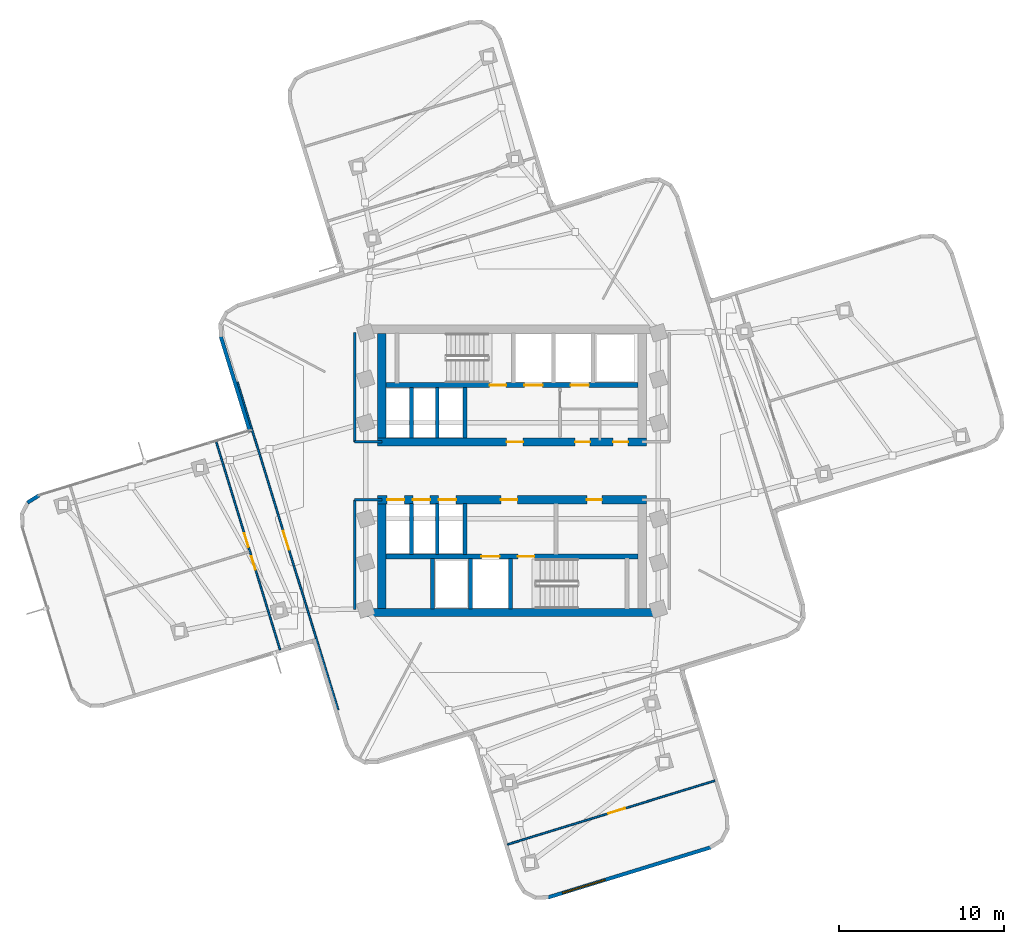
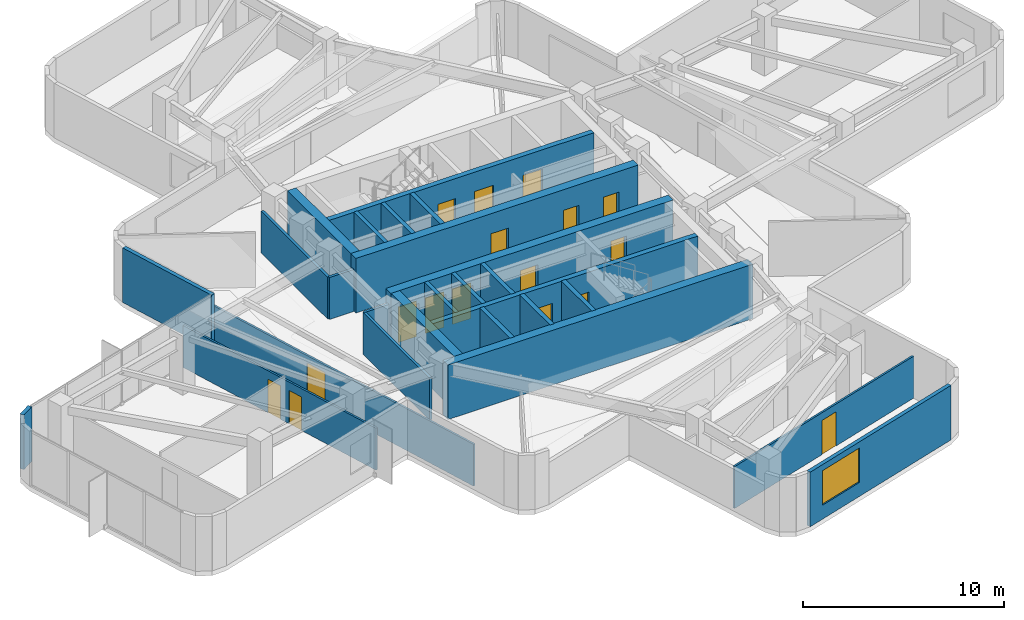
# One storey, part 6 of 10: 26 walls, 17 doors, 1 window, 18 openings.
"""IFC4 building model written with IfcOpenShell, lengths in metres."""

import ifcopenshell
import ifcopenshell.guid

model = None  # the IFC model being written
_history = None  # IfcOwnerHistory: only IFC2X3 demands one
_inside = {}  # id of a spatial element -> (the spatial element, [elements in it])
_under = {}  # id of a project, library or spatial element -> (it, [spatial elements below it])
_declared = {}  # id of a project -> (the project, [libraries it declares])
_typed = {}  # id of a type object -> (the type object, [elements of that type])
_made_of = {}  # id of a material, layer set ... -> (it, [elements and type objects made of it])


def new_model(schema):
    """Start an empty IFC model of exactly this schema.

    Asked for "IFC4X3", IfcOpenShell would pick the latest addendum, in which some entities
    have other attributes; the version numbers below select the first issue.
    IFC2X3 requires an IfcOwnerHistory on every rooted entity: one is made here for all.
    """
    global model, _history
    if schema == "IFC4X3":
        model = ifcopenshell.file(schema_version=(4, 3, 0, 0))
    else:
        model = ifcopenshell.file(schema=schema)
    _inside.clear()
    _under.clear()
    _declared.clear()
    _typed.clear()
    _made_of.clear()
    _history = None
    if model.schema == "IFC2X3":
        org = make("IfcOrganization", Name="unknown")
        user = make(
            "IfcPersonAndOrganization",
            ThePerson=make("IfcPerson", FamilyName="unknown"),
            TheOrganization=org,
        )
        app = make(
            "IfcApplication",
            ApplicationDeveloper=org,
            Version="unknown",
            ApplicationFullName="unknown",
            ApplicationIdentifier="unknown",
        )
        _history = make(
            "IfcOwnerHistory",
            OwningUser=user,
            OwningApplication=app,
            ChangeAction="ADDED",
            CreationDate=0,
        )
    return model


def make(cls, **values):
    """One entity of the class cls with the attributes given. An attribute that is None is left unset."""
    return model.create_entity(
        cls, **{name: value for name, value in values.items() if value is not None}
    )


def rooted(cls, **values):
    """An entity with a GlobalId (a new one), such as an element, a storey or a relation."""
    return make(cls, GlobalId=ifcopenshell.guid.new(), OwnerHistory=_history, **values)


def si_unit(unit_type, name, prefix=None):
    """IfcSIUnit, for example si_unit("LENGTHUNIT", "METRE", prefix="MILLI")."""
    return make("IfcSIUnit", UnitType=unit_type, Prefix=prefix, Name=name)


def assignment(units):
    """IfcUnitAssignment: the units of a project."""
    return None if units is None else make("IfcUnitAssignment", Units=units)


def point(xyz):
    """IfcCartesianPoint."""
    return None if xyz is None else make("IfcCartesianPoint", Coordinates=xyz)


def direction(xyz):
    """IfcDirection."""
    return None if xyz is None else make("IfcDirection", DirectionRatios=xyz)


def frame(location, z_axis=None, x_axis=None):
    """IfcAxis2Placement3D, a coordinate frame: its origin and axes. An axis left out is left unset."""
    return make(
        "IfcAxis2Placement3D",
        Location=point(location),
        Axis=direction(z_axis),
        RefDirection=direction(x_axis),
    )


def frame_2d(location, x_axis=None):
    """IfcAxis2Placement2D, a coordinate frame in the plane: its origin and x axis."""
    return make(
        "IfcAxis2Placement2D", Location=point(location), RefDirection=direction(x_axis)
    )


def origin():
    """The frame at (0, 0, 0) with its axes left unset."""
    return frame((0.0, 0.0, 0.0))


def place(relative_to, where):
    """IfcLocalPlacement: puts the frame where relative to a parent placement (None: the world)."""
    return make(
        "IfcLocalPlacement", PlacementRelTo=relative_to, RelativePlacement=where
    )


def context(
    kind, dimensions, precision=None, world=None, true_north=None, identifier=None
):
    """IfcGeometricRepresentationContext, for example the 3D "Model" context."""
    return make(
        "IfcGeometricRepresentationContext",
        ContextIdentifier=identifier,
        ContextType=kind,
        CoordinateSpaceDimension=dimensions,
        Precision=precision,
        WorldCoordinateSystem=world,
        TrueNorth=true_north,
    )


def subcontext(parent, identifier, kind, view, scale=None):
    """IfcGeometricRepresentationSubContext, for example "Body" below "Model"."""
    return make(
        "IfcGeometricRepresentationSubContext",
        ContextIdentifier=identifier,
        ContextType=kind,
        ParentContext=parent,
        TargetScale=scale,
        TargetView=view,
    )


def project(units=None, contexts=None):
    """IfcProject with its units and contexts."""
    return rooted(
        "IfcProject",
        Name="project",
        RepresentationContexts=contexts,
        UnitsInContext=assignment(units),
    )


def spatial(cls, under=None, at=None, **own):
    """A site, building, storey or space (cls), placed at a placement, below another one or the project."""
    s = rooted(cls, ObjectPlacement=at, **own)
    if under is not None:
        _under.setdefault(under.id(), (under, []))[1].append(s)
    return s


def profile(cls, at=None, kind="AREA", **sizes):
    """A parametric profile (cls). Its sizes go by their IFC names, for example OverallWidth=200.0."""
    return make(cls, ProfileType=kind, Position=at, **sizes)


def rectangle(**sizes):
    """IfcRectangleProfileDef."""
    return profile("IfcRectangleProfileDef", **sizes)


def extrude(swept, where, along, depth):
    """IfcExtrudedAreaSolid: the profile swept, set in the frame where, extruded along a direction by depth."""
    return make(
        "IfcExtrudedAreaSolid",
        SweptArea=swept,
        Position=where,
        ExtrudedDirection=direction(along),
        Depth=depth,
    )


def shape(context_of_items, identifier, shape_type, items):
    """IfcShapeRepresentation: the items that make up one representation, for example the "Body"."""
    return make(
        "IfcShapeRepresentation",
        ContextOfItems=context_of_items,
        RepresentationIdentifier=identifier,
        RepresentationType=shape_type,
        Items=items,
    )


def material(Name=None, Category=None):
    """IfcMaterial."""
    return make("IfcMaterial", Name=Name, Category=Category)


def layer(
    of_material, thickness, ventilated=None, Name=None, Category=None, Priority=None
):
    """IfcMaterialLayer: one layer of a wall or slab, of a material (None: an air gap)."""
    return make(
        "IfcMaterialLayer",
        Material=of_material,
        LayerThickness=thickness,
        IsVentilated=ventilated,
        Name=Name,
        Category=Category,
        Priority=Priority,
    )


def layer_set(layers, Name=None):
    """IfcMaterialLayerSet."""
    return make("IfcMaterialLayerSet", MaterialLayers=layers, LayerSetName=Name)


def made_of(thing, what):
    """Note that an element or type object is made of a material, layer set ...; save() writes the relation."""
    if what is not None:
        _made_of.setdefault(what.id(), (what, []))[1].append(thing)
    return thing


def type_object(cls, material=None, **own):
    """A type object (cls), such as IfcWallType, which elements share."""
    return made_of(rooted(cls, **own), material)


def element(
    cls,
    number,
    at=None,
    inside=None,
    cuts=None,
    type_object=None,
    material=None,
    context=None,
    identifier="Body",
    shape_type=None,
    held_by="IfcProductDefinitionShape",
    body=None,
    shapes=None,
    **own,
):
    """One element of the class cls, such as IfcWall. Its Tag is "e" and its number.

    at: its placement. inside: the storey or other place that contains it. cuts: it is an
    opening in that element (IfcRelVoidsElement). A single representation is given by context,
    identifier, shape_type and body (its items); several are given by shapes. held_by: the class
    of the entity that holds the representations. save() writes the other relations.
    """
    e = rooted(cls, Tag="e%d" % number, ObjectPlacement=at, **own)
    if body is not None:
        shapes = [shape(context, identifier, shape_type, body)]
    if shapes is not None:
        e.Representation = make(held_by, Representations=shapes)
    if inside is not None:
        _inside.setdefault(inside.id(), (inside, []))[1].append(e)
    if cuts is not None:
        rooted(
            "IfcRelVoidsElement", RelatingBuildingElement=cuts, RelatedOpeningElement=e
        )
    if type_object is not None:
        _typed.setdefault(type_object.id(), (type_object, []))[1].append(e)
    return made_of(e, material)


def fill(opening, filler):
    """IfcRelFillsElement: the door or window that sits in an opening."""
    return rooted(
        "IfcRelFillsElement",
        RelatingOpeningElement=opening,
        RelatedBuildingElement=filler,
    )


def aggregate(whole, parts):
    """IfcRelAggregates: a whole, such as a stair, and the parts it consists of."""
    return rooted("IfcRelAggregates", RelatingObject=whole, RelatedObjects=parts)


def save(model, path):
    """Write the relations noted so far, then the file.

    IfcRelAggregates (storeys below a building ...), IfcRelContainedInSpatialStructure (elements
    in a storey), IfcRelDefinesByType, IfcRelAssociatesMaterial and IfcRelDeclares: one each for
    every whole, place, type object, material and project.
    """
    for whole, parts in _under.values():
        aggregate(whole, parts)
    for where, things in _inside.values():
        rooted(
            "IfcRelContainedInSpatialStructure",
            RelatedElements=things,
            RelatingStructure=where,
        )
    for kind, things in _typed.values():
        rooted("IfcRelDefinesByType", RelatedObjects=things, RelatingType=kind)
    for what, things in _made_of.values():
        rooted("IfcRelAssociatesMaterial", RelatedObjects=things, RelatingMaterial=what)
    for by, libraries in _declared.values():
        rooted("IfcRelDeclares", RelatingContext=by, RelatedDefinitions=libraries)
    model.write(path)


model = new_model("IFC4")

# Units and contexts
model_context = context("Model", 3, precision=1e-05, world=origin(), true_north=direction((0.0, 1.0)))
body_context = subcontext(model_context, "Body", "Model", "MODEL_VIEW")
ifc_project = project(units=[si_unit("LENGTHUNIT", "METRE"), si_unit("AREAUNIT", "SQUARE_METRE"), si_unit("VOLUMEUNIT", "CUBIC_METRE"), si_unit("PLANEANGLEUNIT", "RADIAN"), si_unit("MASSUNIT", "GRAM", prefix="KILO")], contexts=[model_context])

# Site, building, storey
site_placement = place(None, origin())
site = spatial("IfcSite", under=ifc_project, at=site_placement, CompositionType="ELEMENT")
building_placement = place(site_placement, origin())
building = spatial("IfcBuilding", under=site, at=building_placement, Name="Solmarez Civic Tower", CompositionType="ELEMENT")
storey_placement = place(building_placement, frame((0.0, 0.0, 148.679931640625)))
storey = spatial("IfcBuildingStorey", under=building, at=storey_placement, Name="L39", CompositionType="ELEMENT", Elevation=148.679931640625)

# Wall, openings, doors
ifc_material_1 = material(Name="Concrete C60/75", Category="concrete")
ifc_layer_1 = layer(ifc_material_1, 0.5)
ifc_layer_set_1 = layer_set([ifc_layer_1], Name="Concrete C60/75")
wall_type_1 = type_object("IfcWallType", Name="WALL-CORE-500", PredefinedType="SHEAR", material=ifc_layer_set_1)
wall_1_placement = place(storey_placement, frame((8.1201171875, 1.75, 0.0), z_axis=(0.0, 0.0, 1.0), x_axis=(-1.0, 0.0, 0.0)))
wall_1 = element("IfcWall", 1, at=wall_1_placement, inside=storey, type_object=wall_type_1, Name="L39 Split-Core Structural Wall NCW-S-L39", PredefinedType="SHEAR", context=body_context, shape_type="SweptSolid", body=[
    extrude(rectangle(XDim=16.240234375, YDim=0.5, at=frame_2d((8.1201171875, 0.0))), origin(), (0.0, 0.0, 1.0), 3.320068359375),
])
opening_1_placement = place(wall_1_placement, frame((7.449951171875, 0.0, 0.0)))
opening_1 = element("IfcOpeningElement", 2, at=opening_1_placement, cuts=wall_1, Name="Opening D-04", PredefinedType="OPENING", context=body_context, shape_type="SweptSolid", body=[
    extrude(rectangle(XDim=1.0, YDim=2.10009765625, at=frame_2d((0.5, 1.050048828125))), frame((0.0, 0.260009765625, 0.0), z_axis=(0.0, -1.0, 0.0), x_axis=(1.0, 0.0, 0.0)), (0.0, 0.0, 1.0), 0.52001953125),
])
opening_2_placement = place(wall_1_placement, frame((3.39990234375, 0.0, 0.0)))
opening_2 = element("IfcOpeningElement", 3, at=opening_2_placement, cuts=wall_1, Name="Opening D-09", PredefinedType="OPENING", context=body_context, shape_type="SweptSolid", body=[
    extrude(rectangle(XDim=0.89990234375, YDim=2.06005859375, at=frame_2d((0.449951171875, 1.030029296875))), frame((0.0, 0.260009765625, 0.0), z_axis=(0.0, -1.0, 0.0), x_axis=(1.0, 0.0, 0.0)), (0.0, 0.0, 1.0), 0.52001953125),
])
opening_3_placement = place(wall_1_placement, frame((1.10009765625, 0.0, 0.0)))
opening_3 = element("IfcOpeningElement", 4, at=opening_3_placement, cuts=wall_1, Name="Opening D-09", PredefinedType="OPENING", context=body_context, shape_type="SweptSolid", body=[
    extrude(rectangle(XDim=0.89990234375, YDim=2.06005859375, at=frame_2d((0.449951171875, 1.030029296875))), frame((0.0, 0.260009765625, 0.0), z_axis=(0.0, -1.0, 0.0), x_axis=(1.0, 0.0, 0.0)), (0.0, 0.0, 1.0), 0.52001953125),
])
ifc_material_2 = material(Name="Steel-Faced Acoustic Fire Door", Category="steel")
door_type_1 = type_object("IfcDoorType", Name="DOOR-FD60-1000", OperationType="NOTDEFINED", PredefinedType="DOOR", material=ifc_material_2)
door_1_placement = place(opening_1_placement, origin())
door_1 = element("IfcDoor", 5, at=door_1_placement, inside=storey, type_object=door_type_1, Name="L39 North Firefighting Lobby Door", OperationType="SINGLE_SWING_RIGHT", OverallHeight=2.10009765625, OverallWidth=1.0, PredefinedType="DOOR", context=body_context, shape_type="SweptSolid", body=[
    extrude(rectangle(XDim=1.0, YDim=2.10009765625, at=frame_2d((0.5, 1.050048828125))), frame((0.0, 0.02490234375, 0.0), z_axis=(0.0, -1.0, 0.0), x_axis=(1.0, 0.0, 0.0)), (0.0, 0.0, 1.0), 0.050048828125),
])
fill(opening_1, door_1)
ifc_material_3 = material(Name="Fire-Rated Service Core Door", Category="wood")
door_type_2 = type_object("IfcDoorType", Name="DOOR-FD60-900", OperationType="NOTDEFINED", PredefinedType="DOOR", material=ifc_material_3)
door_2_placement = place(opening_2_placement, origin())
door_2 = element("IfcDoor", 6, at=door_2_placement, inside=storey, type_object=door_type_2, Name="L39 Core WC Door", OperationType="SINGLE_SWING_LEFT", OverallHeight=2.06005859375, OverallWidth=0.89990234375, PredefinedType="DOOR", context=body_context, shape_type="SweptSolid", body=[
    extrude(rectangle(XDim=0.89990234375, YDim=2.06005859375, at=frame_2d((0.449951171875, 1.030029296875))), frame((0.0, 0.02490234375, 0.0), z_axis=(0.0, -1.0, 0.0), x_axis=(1.0, 0.0, 0.0)), (0.0, 0.0, 1.0), 0.050048828125),
])
fill(opening_2, door_2)
door_3_placement = place(opening_3_placement, origin())
door_3 = element("IfcDoor", 7, at=door_3_placement, inside=storey, type_object=door_type_2, Name="L39 Core CL Door", OperationType="SINGLE_SWING_RIGHT", OverallHeight=2.06005859375, OverallWidth=0.89990234375, PredefinedType="DOOR", context=body_context, shape_type="SweptSolid", body=[
    extrude(rectangle(XDim=0.89990234375, YDim=2.06005859375, at=frame_2d((0.449951171875, 1.030029296875))), frame((0.0, 0.02490234375, 0.0), z_axis=(0.0, -1.0, 0.0), x_axis=(1.0, 0.0, 0.0)), (0.0, 0.0, 1.0), 0.050048828125),
])
fill(opening_3, door_3)

# Walls
wall_2_placement = place(storey_placement, frame((-7.8701171875, 2.0, 0.0), z_axis=(0.0, 0.0, 1.0), x_axis=(0.0, 1.0, 0.0)))
element("IfcWall", 8, at=wall_2_placement, inside=storey, type_object=wall_type_1, Name="L39 Split-Core Structural Wall NCW-W-L39", PredefinedType="SHEAR", context=body_context, shape_type="SweptSolid", body=[
    extrude(rectangle(XDim=6.31005859375, YDim=0.5, at=frame_2d((3.155029296875, 0.0))), origin(), (0.0, 0.0, 1.0), 3.320068359375),
])
wall_3_placement = place(storey_placement, frame((8.780029296875, -8.56005859375, 0.0), z_axis=(0.0, 0.0, 1.0), x_axis=(-1.0, 0.0, 0.0)))
element("IfcWall", 9, at=wall_3_placement, inside=storey, type_object=wall_type_1, Name="L39 Split-Core Structural Wall SCW-S-L39", PredefinedType="SHEAR", context=body_context, shape_type="SweptSolid", body=[
    extrude(rectangle(XDim=17.56005859375, YDim=0.5, at=frame_2d((8.780029296875, 0.0))), origin(), (0.0, 0.0, 1.0), 3.320068359375),
])

# Wall, openings, doors
wall_4_placement = place(storey_placement, frame((-8.1201171875, -1.75, 0.0), z_axis=(0.0, 0.0, 1.0), x_axis=(1.0, 0.0, 0.0)))
wall_4 = element("IfcWall", 10, at=wall_4_placement, inside=storey, type_object=wall_type_1, Name="L39 Split-Core Structural Wall SCW-N-L39", PredefinedType="SHEAR", context=body_context, shape_type="SweptSolid", body=[
    extrude(rectangle(XDim=16.240234375, YDim=0.5, at=frame_2d((8.1201171875, 0.0))), origin(), (0.0, 0.0, 1.0), 3.320068359375),
])
opening_4_placement = place(wall_4_placement, frame((7.449951171875, 0.0, 0.0)))
opening_4 = element("IfcOpeningElement", 11, at=opening_4_placement, cuts=wall_4, Name="Opening D-04", PredefinedType="OPENING", context=body_context, shape_type="SweptSolid", body=[
    extrude(rectangle(XDim=1.0, YDim=2.10009765625, at=frame_2d((0.5, 1.050048828125))), frame((0.0, 0.260009765625, 0.0), z_axis=(0.0, -1.0, 0.0), x_axis=(1.0, 0.0, 0.0)), (0.0, 0.0, 1.0), 0.52001953125),
])
opening_5_placement = place(wall_4_placement, frame((12.64990234375, 0.0, 0.0)))
opening_5 = element("IfcOpeningElement", 12, at=opening_5_placement, cuts=wall_4, Name="Opening D-09", PredefinedType="OPENING", context=body_context, shape_type="SweptSolid", body=[
    extrude(rectangle(XDim=0.89990234375, YDim=2.06005859375, at=frame_2d((0.449951171875, 1.030029296875))), frame((0.0, 0.260009765625, 0.0), z_axis=(0.0, -1.0, 0.0), x_axis=(1.0, 0.0, 0.0)), (0.0, 0.0, 1.0), 0.52001953125),
])
opening_6_placement = place(wall_4_placement, frame((0.56494140625, 0.0, 0.0)))
opening_6 = element("IfcOpeningElement", 13, at=opening_6_placement, cuts=wall_4, Name="Opening LD-01", PredefinedType="OPENING", context=body_context, shape_type="SweptSolid", body=[
    extrude(rectangle(XDim=1.050048828125, YDim=2.14990234375, at=frame_2d((0.52490234375, 1.074951171875))), frame((0.0, 0.260009765625, 0.0), z_axis=(0.0, -1.0, 0.0), x_axis=(1.0, 0.0, 0.0)), (0.0, 0.0, 1.0), 0.52001953125),
])
opening_7_placement = place(wall_4_placement, frame((2.125, 0.0, 0.0)))
opening_7 = element("IfcOpeningElement", 14, at=opening_7_placement, cuts=wall_4, Name="Opening LD-01", PredefinedType="OPENING", context=body_context, shape_type="SweptSolid", body=[
    extrude(rectangle(XDim=1.050048828125, YDim=2.14990234375, at=frame_2d((0.52490234375, 1.074951171875))), frame((0.0, 0.260009765625, 0.0), z_axis=(0.0, -1.0, 0.0), x_axis=(1.0, 0.0, 0.0)), (0.0, 0.0, 1.0), 0.52001953125),
])
opening_8_placement = place(wall_4_placement, frame((3.68505859375, 0.0, 0.0)))
opening_8 = element("IfcOpeningElement", 15, at=opening_8_placement, cuts=wall_4, Name="Opening LD-01", PredefinedType="OPENING", context=body_context, shape_type="SweptSolid", body=[
    extrude(rectangle(XDim=1.050048828125, YDim=2.14990234375, at=frame_2d((0.52490234375, 1.074951171875))), frame((0.0, 0.260009765625, 0.0), z_axis=(0.0, -1.0, 0.0), x_axis=(1.0, 0.0, 0.0)), (0.0, 0.0, 1.0), 0.52001953125),
])
door_4_placement = place(opening_4_placement, origin())
door_4 = element("IfcDoor", 16, at=door_4_placement, inside=storey, type_object=door_type_1, Name="L39 South Firefighting Lobby Door", OperationType="SINGLE_SWING_LEFT", OverallHeight=2.10009765625, OverallWidth=1.0, PredefinedType="DOOR", context=body_context, shape_type="SweptSolid", body=[
    extrude(rectangle(XDim=1.0, YDim=2.10009765625, at=frame_2d((0.5, 1.050048828125))), frame((0.0, 0.02490234375, 0.0), z_axis=(0.0, -1.0, 0.0), x_axis=(1.0, 0.0, 0.0)), (0.0, 0.0, 1.0), 0.050048828125),
])
fill(opening_4, door_4)
door_5_placement = place(opening_5_placement, origin())
door_5 = element("IfcDoor", 17, at=door_5_placement, inside=storey, type_object=door_type_2, Name="L39 Freed Hoistway Mailroom Door", OperationType="SINGLE_SWING_LEFT", OverallHeight=2.06005859375, OverallWidth=0.89990234375, PredefinedType="DOOR", context=body_context, shape_type="SweptSolid", body=[
    extrude(rectangle(XDim=0.89990234375, YDim=2.06005859375, at=frame_2d((0.449951171875, 1.030029296875))), frame((0.0, 0.02490234375, 0.0), z_axis=(0.0, -1.0, 0.0), x_axis=(1.0, 0.0, 0.0)), (0.0, 0.0, 1.0), 0.050048828125),
])
fill(opening_5, door_5)
ifc_material_4 = material(Name="Bronze Passenger Lift Landing Sliding Door", Category="aluminium")
door_type_3 = type_object("IfcDoorType", Name="DOOR-LD-PAX-1050", OperationType="DOUBLE_DOOR_SLIDING", PredefinedType="DOOR", material=ifc_material_4)
door_6_placement = place(opening_6_placement, origin())
door_6 = element("IfcDoor", 18, at=door_6_placement, inside=storey, type_object=door_type_3, Name="L39 Mid-Rise Lift Landing Door PL-M1", OperationType="DOUBLE_DOOR_SLIDING", OverallHeight=2.14990234375, OverallWidth=1.050048828125, PredefinedType="DOOR", context=body_context, shape_type="SweptSolid", body=[
    extrude(rectangle(XDim=1.050048828125, YDim=2.14990234375, at=frame_2d((0.52490234375, 1.074951171875))), frame((0.0, 0.02490234375, 0.0), z_axis=(0.0, -1.0, 0.0), x_axis=(1.0, 0.0, 0.0)), (0.0, 0.0, 1.0), 0.050048828125),
])
fill(opening_6, door_6)
door_7_placement = place(opening_7_placement, origin())
door_7 = element("IfcDoor", 19, at=door_7_placement, inside=storey, type_object=door_type_3, Name="L39 Mid-Rise Lift Landing Door PL-M2", OperationType="DOUBLE_DOOR_SLIDING", OverallHeight=2.14990234375, OverallWidth=1.050048828125, PredefinedType="DOOR", context=body_context, shape_type="SweptSolid", body=[
    extrude(rectangle(XDim=1.050048828125, YDim=2.14990234375, at=frame_2d((0.52490234375, 1.074951171875))), frame((0.0, 0.02490234375, 0.0), z_axis=(0.0, -1.0, 0.0), x_axis=(1.0, 0.0, 0.0)), (0.0, 0.0, 1.0), 0.050048828125),
])
fill(opening_7, door_7)
door_8_placement = place(opening_8_placement, origin())
door_8 = element("IfcDoor", 20, at=door_8_placement, inside=storey, type_object=door_type_3, Name="L39 Mid-Rise Lift Landing Door PL-M3", OperationType="DOUBLE_DOOR_SLIDING", OverallHeight=2.14990234375, OverallWidth=1.050048828125, PredefinedType="DOOR", context=body_context, shape_type="SweptSolid", body=[
    extrude(rectangle(XDim=1.050048828125, YDim=2.14990234375, at=frame_2d((0.52490234375, 1.074951171875))), frame((0.0, 0.02490234375, 0.0), z_axis=(0.0, -1.0, 0.0), x_axis=(1.0, 0.0, 0.0)), (0.0, 0.0, 1.0), 0.050048828125),
])
fill(opening_8, door_8)

# Walls
wall_5_placement = place(storey_placement, frame((-7.8701171875, -8.31005859375, 0.0), z_axis=(0.0, 0.0, 1.0), x_axis=(0.0, 1.0, 0.0)))
element("IfcWall", 21, at=wall_5_placement, inside=storey, type_object=wall_type_1, Name="L39 Split-Core Structural Wall SCW-W-L39", PredefinedType="SHEAR", context=body_context, shape_type="SweptSolid", body=[
    extrude(rectangle(XDim=6.31005859375, YDim=0.5, at=frame_2d((3.155029296875, 0.0))), origin(), (0.0, 0.0, 1.0), 3.320068359375),
])
ifc_material_5 = material(Name="Precast concrete C40/50", Category="concrete")
ifc_layer_2 = layer(ifc_material_5, 0.219970703125)
ifc_layer_set_2 = layer_set([ifc_layer_2], Name="Precast concrete C40/50")
wall_type_2 = type_object("IfcWallType", Name="WALL-EXT-220", PredefinedType="SOLIDWALL", material=ifc_layer_set_2)
wall_6_placement = place(storey_placement, frame((-29.298095703125, -1.9189453125, 0.0), z_axis=(0.0, 0.0, 1.0), x_axis=(0.847141460322, 0.531367430506, 0.0)))
element("IfcWall", 22, at=wall_6_placement, inside=storey, type_object=wall_type_2, Name="L39 Exterior Precast Wall 9", PredefinedType="SOLIDWALL", context=body_context, shape_type="SweptSolid", body=[
    extrude(rectangle(XDim=0.83349609375, YDim=0.219970703125, at=frame_2d((0.416748046875, 0.0))), origin(), (0.0, 0.0, 1.0), 3.320068359375),
])
wall_7_placement = place(storey_placement, frame((-15.8310546875, 2.35107421875, 0.0), z_axis=(0.0, 0.0, 1.0), x_axis=(-0.293958424126, 0.955818207028, 0.0)))
element("IfcWall", 23, at=wall_7_placement, inside=storey, type_object=wall_type_2, Name="L39 Exterior Precast Wall 13", PredefinedType="SOLIDWALL", context=body_context, shape_type="SweptSolid", body=[
    extrude(rectangle(XDim=6.05859375, YDim=0.219970703125, at=frame_2d((3.029296875, 0.0))), origin(), (0.0, 0.0, 1.0), 3.320068359375),
])

# Wall, opening, window
wall_8_placement = place(storey_placement, frame((12.033935546875, -22.758056640625, 0.0), z_axis=(0.0, 0.0, 1.0), x_axis=(-0.955818382151, -0.293957854703, 0.0)))
wall_8 = element("IfcWall", 24, at=wall_8_placement, inside=storey, type_object=wall_type_2, Name="L39 Exterior Precast Wall 60", PredefinedType="SOLIDWALL", context=body_context, shape_type="SweptSolid", body=[
    extrude(rectangle(XDim=10.321044921875, YDim=0.219970703125, at=frame_2d((5.16064453125, 0.0))), origin(), (0.0, 0.0, 1.0), 3.320068359375),
])
opening_9_placement = place(wall_8_placement, frame((6.699951171875, 0.0, 0.85009765625)))
opening_9 = element("IfcOpeningElement", 25, at=opening_9_placement, cuts=wall_8, Name="Opening W-01", PredefinedType="OPENING", context=body_context, shape_type="SweptSolid", body=[
    extrude(rectangle(XDim=2.699951171875, YDim=2.10009765625, at=frame_2d((1.35009765625, 1.050048828125))), frame((0.0, 0.119873046875, 0.0), z_axis=(0.0, -1.0, 0.0), x_axis=(1.0, 0.0, 0.0)), (0.0, 0.0, 1.0), 0.239990234375),
])
ifc_material_6 = material(Name="Solar Control Bronze-Tinted Insulating Glass", Category="glass")
window_type = type_object("IfcWindowType", Name="WIN-2700X2100", PartitioningType="SINGLE_PANEL", PredefinedType="WINDOW", material=ifc_material_6)
window_placement = place(opening_9_placement, origin())
window = element("IfcWindow", 26, at=window_placement, inside=storey, type_object=window_type, Name="L39 Exterior Facade Window 60", OverallHeight=2.10009765625, OverallWidth=2.699951171875, PartitioningType="SINGLE_PANEL", PredefinedType="WINDOW", context=body_context, shape_type="SweptSolid", body=[
    extrude(rectangle(XDim=2.699951171875, YDim=2.10009765625, at=frame_2d((1.35009765625, 1.050048828125))), frame((0.0, 0.030029296875, 0.0), z_axis=(0.0, -1.0, 0.0), x_axis=(1.0, 0.0, 0.0)), (0.0, 0.0, 1.0), 0.06005859375),
])
fill(opening_9, window)

# Walls
ifc_material_7 = material(Name="Gypsum Board Acoustic Steel-Stud Partition", Category="steel")
ifc_layer_3 = layer(ifc_material_7, 0.14990234375)
ifc_layer_set_3 = layer_set([ifc_layer_3], Name="Gypsum Board Acoustic Steel-Stud Partition")
wall_type_3 = type_object("IfcWallType", Name="WALL-INT-FIRE-150", PredefinedType="PARTITIONING", material=ifc_layer_set_3)
wall_9_placement = place(storey_placement, frame((-9.52001953125, 1.75, 0.0), z_axis=(0.0, 0.0, 1.0), x_axis=(0.0, 1.0, 0.0)))
element("IfcWall", 27, at=wall_9_placement, inside=storey, type_object=wall_type_3, Name="L39 Interior Partition CHW-L39-WN1", PredefinedType="PARTITIONING", context=body_context, shape_type="SweptSolid", body=[
    extrude(rectangle(XDim=6.6298828125, YDim=0.14990234375, at=frame_2d((3.31494140625, 0.0))), origin(), (0.0, 0.0, 1.0), 2.550048828125),
])
wall_10_placement = place(storey_placement, frame((-7.85009765625, 1.75, 0.0), z_axis=(0.0, 0.0, 1.0), x_axis=(-1.0, 0.0, 0.0)))
element("IfcWall", 28, at=wall_10_placement, inside=storey, type_object=wall_type_3, Name="L39 Interior Partition CHW-L39-WN3", PredefinedType="PARTITIONING", context=body_context, shape_type="SweptSolid", body=[
    extrude(rectangle(XDim=1.669921875, YDim=0.14990234375, at=frame_2d((0.8349609375, 0.0))), origin(), (0.0, 0.0, 1.0), 2.550048828125),
])
wall_11_placement = place(storey_placement, frame((-9.52001953125, -8.3798828125, 0.0), z_axis=(0.0, 0.0, 1.0), x_axis=(0.0, 1.0, 0.0)))
element("IfcWall", 29, at=wall_11_placement, inside=storey, type_object=wall_type_3, Name="L39 Interior Partition CHW-L39-WS1", PredefinedType="PARTITIONING", context=body_context, shape_type="SweptSolid", body=[
    extrude(rectangle(XDim=6.6298828125, YDim=0.14990234375, at=frame_2d((3.31494140625, 0.0))), origin(), (0.0, 0.0, 1.0), 2.550048828125),
])
wall_12_placement = place(storey_placement, frame((-7.85009765625, -1.75, 0.0), z_axis=(0.0, 0.0, 1.0), x_axis=(-1.0, 0.0, 0.0)))
element("IfcWall", 30, at=wall_12_placement, inside=storey, type_object=wall_type_3, Name="L39 Interior Partition CHW-L39-WS3", PredefinedType="PARTITIONING", context=body_context, shape_type="SweptSolid", body=[
    extrude(rectangle(XDim=1.669921875, YDim=0.14990234375, at=frame_2d((0.8349609375, 0.0))), origin(), (0.0, 0.0, 1.0), 2.550048828125),
])

# Wall, opening, door
ifc_layer_4 = layer(ifc_material_7, 0.110107421875)
ifc_layer_set_4 = layer_set([ifc_layer_4], Name="Gypsum Board Acoustic Steel-Stud Partition")
wall_type_4 = type_object("IfcWallType", Name="WALL-INT-PART-110", PredefinedType="PARTITIONING", material=ifc_layer_set_4)
wall_13_placement = place(storey_placement, frame((-10.506103515625, -14.447021484375, 0.0), z_axis=(0.0, 0.0, 1.0), x_axis=(-0.294033732643, 0.955795042919, 0.0)))
wall_13 = element("IfcWall", 31, at=wall_13_placement, inside=storey, type_object=wall_type_4, Name="L39 Interior Partition PT-L39-W-ENT", PredefinedType="PARTITIONING", context=body_context, shape_type="SweptSolid", body=[
    extrude(rectangle(XDim=20.73876953125, YDim=0.110107421875, at=frame_2d((10.369384765625, 0.0))), origin(), (0.0, 0.0, 1.0), 2.550048828125),
])
opening_10_placement = place(wall_13_placement, frame((10.1201171875, 0.0, 0.0)))
opening_10 = element("IfcOpeningElement", 32, at=opening_10_placement, cuts=wall_13, Name="Opening D-11", PredefinedType="OPENING", context=body_context, shape_type="SweptSolid", body=[
    extrude(rectangle(XDim=1.199951171875, YDim=2.10009765625, at=frame_2d((0.60009765625, 1.050048828125))), frame((0.0, 0.06494140625, 0.0), z_axis=(0.0, -1.0, 0.0), x_axis=(1.0, 0.0, 0.0)), (0.0, 0.0, 1.0), 0.130126953125),
])
ifc_material_8 = material(Name="Glazed-Vision Acoustic Chamber Door", Category="wood")
door_type_4 = type_object("IfcDoorType", Name="DOOR-INT-1200", OperationType="NOTDEFINED", PredefinedType="DOOR", material=ifc_material_8)
door_9_placement = place(opening_10_placement, origin())
door_9 = element("IfcDoor", 33, at=door_9_placement, inside=storey, type_object=door_type_4, Name="L39 Legal Study Room First West Door", OperationType="SINGLE_SWING_LEFT", OverallHeight=2.10009765625, OverallWidth=1.199951171875, PredefinedType="DOOR", context=body_context, shape_type="SweptSolid", body=[
    extrude(rectangle(XDim=1.199951171875, YDim=2.10009765625, at=frame_2d((0.60009765625, 1.050048828125))), frame((0.0, 0.02490234375, 0.0), z_axis=(0.0, -1.0, 0.0), x_axis=(1.0, 0.0, 0.0)), (0.0, 0.0, 1.0), 0.050048828125),
])
fill(opening_10, door_9)

# Wall, openings, doors
wall_14_placement = place(storey_placement, frame((-17.8798828125, 1.73388671875, 0.0), z_axis=(0.0, 0.0, 1.0), x_axis=(0.293994377882, -0.95580714884, 0.0)))
wall_14 = element("IfcWall", 34, at=wall_14_placement, inside=storey, type_object=wall_type_4, Name="L39 Interior Partition PT-L39-W-S1", PredefinedType="PARTITIONING", context=body_context, shape_type="SweptSolid", body=[
    extrude(rectangle(XDim=13.129150390625, YDim=0.110107421875, at=frame_2d((6.564453125, 0.0))), origin(), (0.0, 0.0, 1.0), 2.550048828125),
])
opening_11_placement = place(wall_14_placement, frame((5.764892578125, 0.0, 0.0)))
opening_11 = element("IfcOpeningElement", 35, at=opening_11_placement, cuts=wall_14, Name="Opening D-14", PredefinedType="OPENING", context=body_context, shape_type="SweptSolid", body=[
    extrude(rectangle(XDim=0.860107421875, YDim=2.0400390625, at=frame_2d((0.43017578125, 1.02001953125))), frame((0.0, 0.06494140625, 0.0), z_axis=(0.0, -1.0, 0.0), x_axis=(1.0, 0.0, 0.0)), (0.0, 0.0, 1.0), 0.130126953125),
])
opening_12_placement = place(wall_14_placement, frame((7.205078125, 0.0, 0.0)))
opening_12 = element("IfcOpeningElement", 36, at=opening_12_placement, cuts=wall_14, Name="Opening D-14", PredefinedType="OPENING", context=body_context, shape_type="SweptSolid", body=[
    extrude(rectangle(XDim=0.860107421875, YDim=2.0400390625, at=frame_2d((0.43017578125, 1.02001953125))), frame((0.0, 0.06494140625, 0.0), z_axis=(0.0, -1.0, 0.0), x_axis=(1.0, 0.0, 0.0)), (0.0, 0.0, 1.0), 0.130126953125),
])
ifc_material_9 = material(Name="Timber Storage and Pantry Door", Category="wood")
door_type_5 = type_object("IfcDoorType", Name="DOOR-INT-850", OperationType="NOTDEFINED", PredefinedType="DOOR", material=ifc_material_9)
door_10_placement = place(opening_11_placement, origin())
door_10 = element("IfcDoor", 37, at=door_10_placement, inside=storey, type_object=door_type_5, Name="L39 Municipal Law Library Third West Door", OperationType="SINGLE_SWING_RIGHT", OverallHeight=2.0400390625, OverallWidth=0.860107421875, PredefinedType="DOOR", context=body_context, shape_type="SweptSolid", body=[
    extrude(rectangle(XDim=0.860107421875, YDim=2.0400390625, at=frame_2d((0.43017578125, 1.02001953125))), frame((0.0, 0.02490234375, 0.0), z_axis=(0.0, -1.0, 0.0), x_axis=(1.0, 0.0, 0.0)), (0.0, 0.0, 1.0), 0.050048828125),
])
fill(opening_11, door_10)
door_11_placement = place(opening_12_placement, origin())
door_11 = element("IfcDoor", 38, at=door_11_placement, inside=storey, type_object=door_type_5, Name="L39 Policy Administration Office Second West Door", OperationType="SINGLE_SWING_LEFT", OverallHeight=2.0400390625, OverallWidth=0.860107421875, PredefinedType="DOOR", context=body_context, shape_type="SweptSolid", body=[
    extrude(rectangle(XDim=0.860107421875, YDim=2.0400390625, at=frame_2d((0.43017578125, 1.02001953125))), frame((0.0, 0.02490234375, 0.0), z_axis=(0.0, -1.0, 0.0), x_axis=(1.0, 0.0, 0.0)), (0.0, 0.0, 1.0), 0.050048828125),
])
fill(opening_12, door_11)

# Wall, opening, door
wall_15_placement = place(storey_placement, frame((12.264892578125, -18.73095703125, 0.0), z_axis=(0.0, 0.0, 1.0), x_axis=(-0.955787450846, -0.294058410535, 0.0)))
wall_15 = element("IfcWall", 39, at=wall_15_placement, inside=storey, type_object=wall_type_4, Name="L39 Interior Partition PT-L39-S-SC2", PredefinedType="PARTITIONING", context=body_context, shape_type="SweptSolid", body=[
    extrude(rectangle(XDim=13.13037109375, YDim=0.110107421875, at=frame_2d((6.565185546875, 0.0))), origin(), (0.0, 0.0, 1.0), 2.550048828125),
])
opening_13_placement = place(wall_15_placement, frame((5.68994140625, 0.0, 0.0)))
opening_13 = element("IfcOpeningElement", 40, at=opening_13_placement, cuts=wall_15, Name="Opening D-13", PredefinedType="OPENING", context=body_context, shape_type="SweptSolid", body=[
    extrude(rectangle(XDim=1.050048828125, YDim=2.080078125, at=frame_2d((0.52490234375, 1.0400390625))), frame((0.0, 0.06494140625, 0.0), z_axis=(0.0, -1.0, 0.0), x_axis=(1.0, 0.0, 0.0)), (0.0, 0.0, 1.0), 0.130126953125),
])
ifc_material_10 = material(Name="Timber Directorate Office Door", Category="wood")
door_type_6 = type_object("IfcDoorType", Name="DOOR-INT-1050", OperationType="NOTDEFINED", PredefinedType="DOOR", material=ifc_material_10)
door_12_placement = place(opening_13_placement, origin())
door_12 = element("IfcDoor", 41, at=door_12_placement, inside=storey, type_object=door_type_6, Name="L39 Legal Study Room South Door", OperationType="SINGLE_SWING_RIGHT", OverallHeight=2.080078125, OverallWidth=1.050048828125, PredefinedType="DOOR", context=body_context, shape_type="SweptSolid", body=[
    extrude(rectangle(XDim=1.050048828125, YDim=2.080078125, at=frame_2d((0.52490234375, 1.0400390625))), frame((0.0, 0.02490234375, 0.0), z_axis=(0.0, -1.0, 0.0), x_axis=(1.0, 0.0, 0.0)), (0.0, 0.0, 1.0), 0.050048828125),
])
fill(opening_13, door_12)

# Wall, openings, doors
ifc_material_11 = material(Name="Concrete C50/60", Category="concrete")
ifc_layer_5 = layer(ifc_material_11, 0.300048828125)
ifc_layer_set_5 = layer_set([ifc_layer_5], Name="Concrete C50/60")
wall_type_5 = type_object("IfcWallType", Name="WALL-STR-300", PredefinedType="SOLIDWALL", material=ifc_layer_set_5)
wall_16_placement = place(storey_placement, frame((7.6201171875, 5.179931640625, 0.0), z_axis=(0.0, 0.0, 1.0), x_axis=(-1.0, 0.0, 0.0)))
wall_16 = element("IfcWall", 42, at=wall_16_placement, inside=storey, type_object=wall_type_5, Name="L39 Split-Core Structural Wall NCW-M-L39", PredefinedType="SOLIDWALL", context=body_context, shape_type="SweptSolid", body=[
    extrude(rectangle(XDim=15.240234375, YDim=0.300048828125, at=frame_2d((7.6201171875, 0.0))), origin(), (0.0, 0.0, 1.0), 3.320068359375),
])
opening_14_placement = place(wall_16_placement, frame((5.77001953125, 0.0, 0.0)))
opening_14 = element("IfcOpeningElement", 43, at=opening_14_placement, cuts=wall_16, Name="Opening LD-02", PredefinedType="OPENING", context=body_context, shape_type="SweptSolid", body=[
    extrude(rectangle(XDim=1.10009765625, YDim=2.14990234375, at=frame_2d((0.550048828125, 1.074951171875))), frame((0.0, 0.159912109375, 0.0), z_axis=(0.0, -1.0, 0.0), x_axis=(1.0, 0.0, 0.0)), (0.0, 0.0, 1.0), 0.320068359375),
])
opening_15_placement = place(wall_16_placement, frame((2.969970703125, 0.0, 0.0)))
opening_15 = element("IfcOpeningElement", 44, at=opening_15_placement, cuts=wall_16, Name="Opening LD-03", PredefinedType="OPENING", context=body_context, shape_type="SweptSolid", body=[
    extrude(rectangle(XDim=1.10009765625, YDim=2.14990234375, at=frame_2d((0.550048828125, 1.074951171875))), frame((0.0, 0.159912109375, 0.0), z_axis=(0.0, -1.0, 0.0), x_axis=(1.0, 0.0, 0.0)), (0.0, 0.0, 1.0), 0.320068359375),
])
opening_16_placement = place(wall_16_placement, frame((7.969970703125, 0.0, 0.0)))
opening_16 = element("IfcOpeningElement", 45, at=opening_16_placement, cuts=wall_16, Name="Opening D-05", PredefinedType="OPENING", context=body_context, shape_type="SweptSolid", body=[
    extrude(rectangle(XDim=1.0, YDim=2.10009765625, at=frame_2d((0.5, 1.050048828125))), frame((0.0, 0.159912109375, 0.0), z_axis=(0.0, -1.0, 0.0), x_axis=(1.0, 0.0, 0.0)), (0.0, 0.0, 1.0), 0.320068359375),
])
ifc_material_12 = material(Name="Fire-Rated Stairwell Exit Door", Category="wood")
door_type_7 = type_object("IfcDoorType", Name="DOOR-FD90-1000", OperationType="NOTDEFINED", PredefinedType="DOOR", material=ifc_material_12)
door_13_placement = place(opening_16_placement, origin())
door_13 = element("IfcDoor", 46, at=door_13_placement, inside=storey, type_object=door_type_7, Name="L39 North Exit Stair Door ST-1", OperationType="SINGLE_SWING_RIGHT", OverallHeight=2.10009765625, OverallWidth=1.0, PredefinedType="DOOR", context=body_context, shape_type="SweptSolid", body=[
    extrude(rectangle(XDim=1.0, YDim=2.10009765625, at=frame_2d((0.5, 1.050048828125))), frame((0.0, 0.02490234375, 0.0), z_axis=(0.0, -1.0, 0.0), x_axis=(1.0, 0.0, 0.0)), (0.0, 0.0, 1.0), 0.050048828125),
])
fill(opening_16, door_13)
ifc_material_13 = material(Name="Stainless Firefighting Lift Landing Sliding Door", Category="aluminium")
door_type_8 = type_object("IfcDoorType", Name="DOOR-LD-FF-1100", OperationType="DOUBLE_DOOR_SLIDING", PredefinedType="DOOR", material=ifc_material_13)
door_14_placement = place(opening_14_placement, origin())
door_14 = element("IfcDoor", 47, at=door_14_placement, inside=storey, type_object=door_type_8, Name="L39 Firefighting Lift Landing Door FFL-1", OperationType="DOUBLE_DOOR_SLIDING", OverallHeight=2.14990234375, OverallWidth=1.10009765625, PredefinedType="DOOR", context=body_context, shape_type="SweptSolid", body=[
    extrude(rectangle(XDim=1.10009765625, YDim=2.14990234375, at=frame_2d((0.550048828125, 1.074951171875))), frame((0.0, 0.02490234375, 0.0), z_axis=(0.0, -1.0, 0.0), x_axis=(1.0, 0.0, 0.0)), (0.0, 0.0, 1.0), 0.050048828125),
])
fill(opening_14, door_14)
ifc_material_14 = material(Name="Stainless Stretcher Lift Landing Sliding Door", Category="aluminium")
door_type_9 = type_object("IfcDoorType", Name="DOOR-LD-SV-1100", OperationType="DOUBLE_DOOR_SLIDING", PredefinedType="DOOR", material=ifc_material_14)
door_15_placement = place(opening_15_placement, origin())
door_15 = element("IfcDoor", 48, at=door_15_placement, inside=storey, type_object=door_type_9, Name="L39 Service Stretcher Lift Landing Door SVL-1", OperationType="DOUBLE_DOOR_SLIDING", OverallHeight=2.14990234375, OverallWidth=1.10009765625, PredefinedType="DOOR", context=body_context, shape_type="SweptSolid", body=[
    extrude(rectangle(XDim=1.10009765625, YDim=2.14990234375, at=frame_2d((0.550048828125, 1.074951171875))), frame((0.0, 0.02490234375, 0.0), z_axis=(0.0, -1.0, 0.0), x_axis=(1.0, 0.0, 0.0)), (0.0, 0.0, 1.0), 0.050048828125),
])
fill(opening_15, door_15)

wall_17_placement = place(storey_placement, frame((-7.6201171875, -5.179931640625, 0.0), z_axis=(0.0, 0.0, 1.0), x_axis=(1.0, 0.0, 0.0)))
wall_17 = element("IfcWall", 49, at=wall_17_placement, inside=storey, type_object=wall_type_5, Name="L39 Split-Core Structural Wall SCW-M-L39", PredefinedType="SOLIDWALL", context=body_context, shape_type="SweptSolid", body=[
    extrude(rectangle(XDim=15.240234375, YDim=0.300048828125, at=frame_2d((7.6201171875, 0.0))), origin(), (0.0, 0.0, 1.0), 3.320068359375),
])
opening_17_placement = place(wall_17_placement, frame((5.77001953125, 0.0, 0.0)))
opening_17 = element("IfcOpeningElement", 50, at=opening_17_placement, cuts=wall_17, Name="Opening LD-02", PredefinedType="OPENING", context=body_context, shape_type="SweptSolid", body=[
    extrude(rectangle(XDim=1.10009765625, YDim=2.14990234375, at=frame_2d((0.550048828125, 1.074951171875))), frame((0.0, 0.159912109375, 0.0), z_axis=(0.0, -1.0, 0.0), x_axis=(1.0, 0.0, 0.0)), (0.0, 0.0, 1.0), 0.320068359375),
])
opening_18_placement = place(wall_17_placement, frame((7.969970703125, 0.0, 0.0)))
opening_18 = element("IfcOpeningElement", 51, at=opening_18_placement, cuts=wall_17, Name="Opening D-05", PredefinedType="OPENING", context=body_context, shape_type="SweptSolid", body=[
    extrude(rectangle(XDim=1.0, YDim=2.10009765625, at=frame_2d((0.5, 1.050048828125))), frame((0.0, 0.159912109375, 0.0), z_axis=(0.0, -1.0, 0.0), x_axis=(1.0, 0.0, 0.0)), (0.0, 0.0, 1.0), 0.320068359375),
])
door_16_placement = place(opening_18_placement, origin())
door_16 = element("IfcDoor", 52, at=door_16_placement, inside=storey, type_object=door_type_7, Name="L39 South Exit Stair Door ST-2", OperationType="SINGLE_SWING_LEFT", OverallHeight=2.10009765625, OverallWidth=1.0, PredefinedType="DOOR", context=body_context, shape_type="SweptSolid", body=[
    extrude(rectangle(XDim=1.0, YDim=2.10009765625, at=frame_2d((0.5, 1.050048828125))), frame((0.0, 0.02490234375, 0.0), z_axis=(0.0, -1.0, 0.0), x_axis=(1.0, 0.0, 0.0)), (0.0, 0.0, 1.0), 0.050048828125),
])
fill(opening_18, door_16)
door_17_placement = place(opening_17_placement, origin())
door_17 = element("IfcDoor", 53, at=door_17_placement, inside=storey, type_object=door_type_8, Name="L39 Firefighting Lift Landing Door FFL-2", OperationType="DOUBLE_DOOR_SLIDING", OverallHeight=2.14990234375, OverallWidth=1.10009765625, PredefinedType="DOOR", context=body_context, shape_type="SweptSolid", body=[
    extrude(rectangle(XDim=1.10009765625, YDim=2.14990234375, at=frame_2d((0.550048828125, 1.074951171875))), frame((0.0, 0.02490234375, 0.0), z_axis=(0.0, -1.0, 0.0), x_axis=(1.0, 0.0, 0.0)), (0.0, 0.0, 1.0), 0.050048828125),
])
fill(opening_17, door_17)

# Walls
wall_18_placement = place(storey_placement, frame((-2.85009765625, 1.97998046875, 0.0), z_axis=(0.0, 0.0, 1.0), x_axis=(0.0, 1.0, 0.0)))
element("IfcWall", 54, at=wall_18_placement, inside=storey, type_object=wall_type_5, Name="L39 Split-Core Structural Wall SHW-NL1-L39", PredefinedType="SOLIDWALL", context=body_context, shape_type="SweptSolid", body=[
    extrude(rectangle(XDim=3.070068359375, YDim=0.25, at=frame_2d((1.53515625, 0.0))), origin(), (0.0, 0.0, 1.0), 3.320068359375),
])
for number, where, z_axis, x_axis, name in (
    (55, (-0.10009765625, -8.340087890625, 0.0), (0.0, 0.0, 1.0), (0.0, 1.0, 0.0), "L39 Split-Core Structural Wall SHW-S1-L39"),
    (56, (-2.5, -8.340087890625, 0.0), (0.0, 0.0, 1.0), (0.0, 1.0, 0.0), "L39 Split-Core Structural Wall SHW-S2-L39"),
    (57, (-4.800048828125, -8.340087890625, 0.0), (0.0, 0.0, 1.0), (0.0, 1.0, 0.0), "L39 Split-Core Structural Wall SHW-S3-L39"),
):
    element("IfcWall", number, at=place(storey_placement, frame(where, z_axis=z_axis, x_axis=x_axis)), inside=storey, type_object=wall_type_5, Name=name, PredefinedType="SOLIDWALL", context=body_context, shape_type="SweptSolid", body=[
        extrude(rectangle(XDim=3.0400390625, YDim=0.25, at=frame_2d((1.52001953125, 0.0))), origin(), (0.0, 0.0, 1.0), 3.320068359375),
    ])
wall_19_placement = place(storey_placement, frame((-2.85009765625, -5.050048828125, 0.0), z_axis=(0.0, 0.0, 1.0), x_axis=(0.0, 1.0, 0.0)))
element("IfcWall", 58, at=wall_19_placement, inside=storey, type_object=wall_type_5, Name="L39 Split-Core Structural Wall SHW-SL1-L39", PredefinedType="SOLIDWALL", context=body_context, shape_type="SweptSolid", body=[
    extrude(rectangle(XDim=3.070068359375, YDim=0.25, at=frame_2d((1.53515625, 0.0))), origin(), (0.0, 0.0, 1.0), 3.320068359375),
])
for number, where, z_axis, x_axis, name in (
    (59, (-6.080078125, 1.97998046875, 0.0), (0.0, 0.0, 1.0), (0.0, 1.0, 0.0), "L39 Split-Core Structural Wall SHW-PLH-L39-1"),
    (60, (-4.52001953125, 1.97998046875, 0.0), (0.0, 0.0, 1.0), (0.0, 1.0, 0.0), "L39 Split-Core Structural Wall SHW-PLH-L39-2"),
    (61, (-6.080078125, -5.050048828125, 0.0), (0.0, 0.0, 1.0), (0.0, 1.0, 0.0), "L39 Split-Core Structural Wall SHW-PLM-L39-1"),
    (62, (-4.52001953125, -5.050048828125, 0.0), (0.0, 0.0, 1.0), (0.0, 1.0, 0.0), "L39 Split-Core Structural Wall SHW-PLM-L39-2"),
):
    element("IfcWall", number, at=place(storey_placement, frame(where, z_axis=z_axis, x_axis=x_axis)), inside=storey, type_object=wall_type_5, Name=name, PredefinedType="SOLIDWALL", context=body_context, shape_type="SweptSolid", body=[
        extrude(rectangle(XDim=3.070068359375, YDim=0.219970703125, at=frame_2d((1.53515625, 0.0))), origin(), (0.0, 0.0, 1.0), 3.320068359375),
    ])

save(model, "model.ifc")
